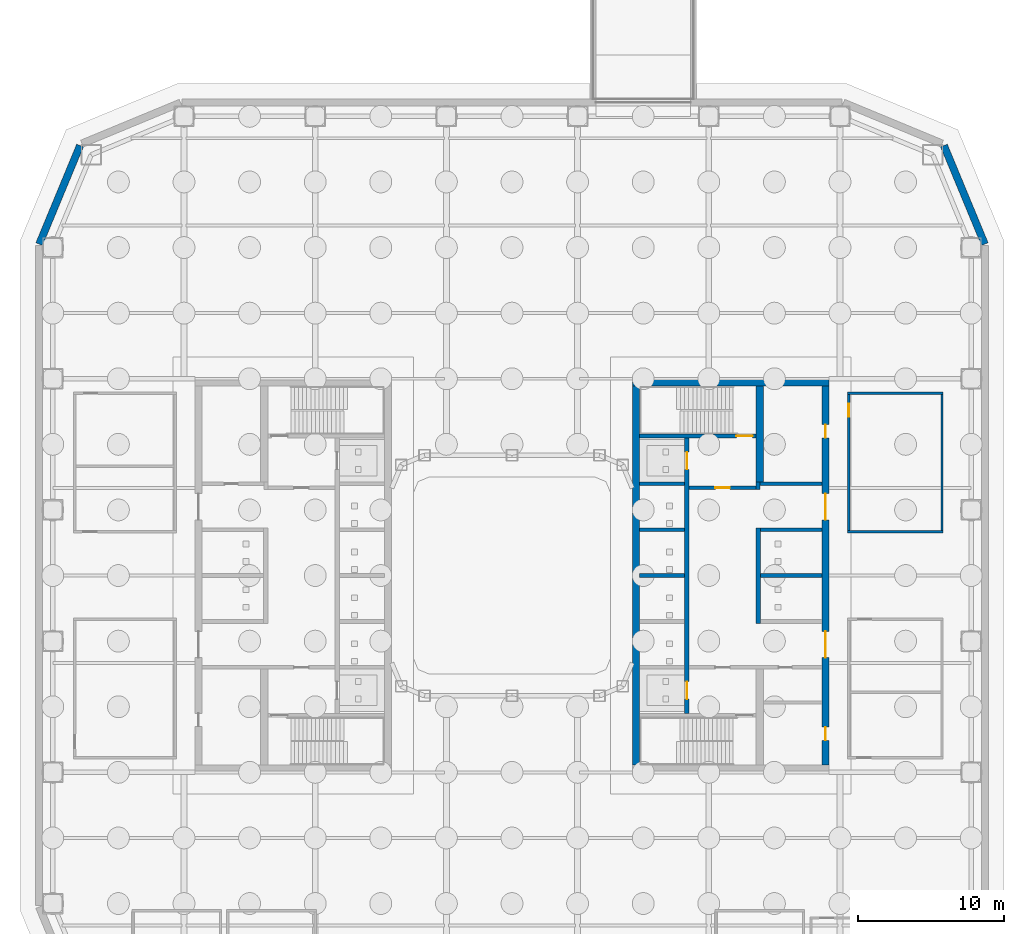
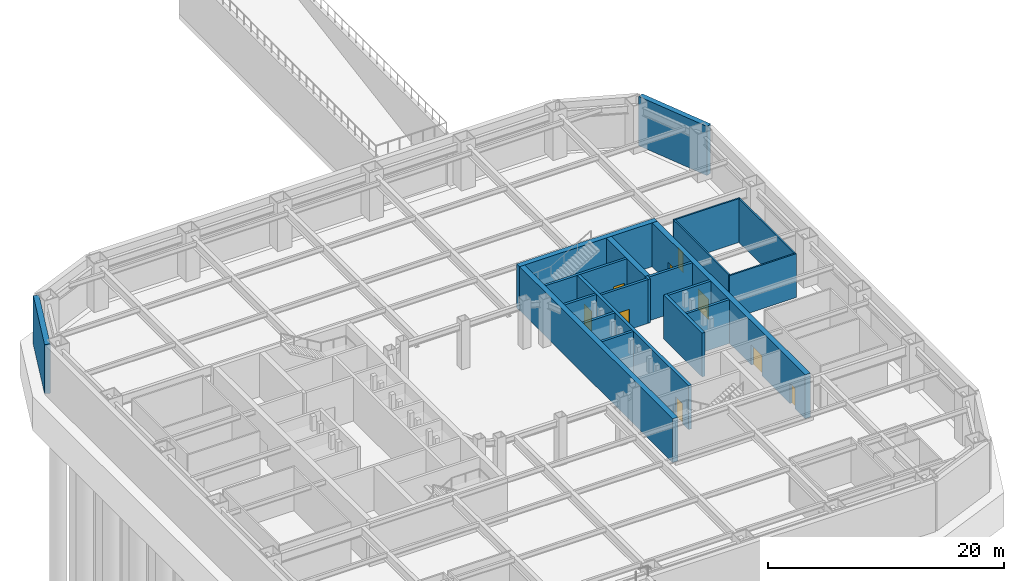
# One storey, part 6 of 10: 21 walls, 9 doors, 9 openings.
"""IFC4 building model written with IfcOpenShell, lengths in metres."""

from ifc_helpers import new_model, si_unit, direction, frame, frame_2d, origin, place, context, subcontext, project, spatial, rectangle, extrude, material, layer, layer_set, type_object, element, fill, save


model = new_model("IFC4")

# Units and contexts
model_context = context("Model", 3, precision=1e-05, world=origin(), true_north=direction((0.0, 1.0)))
body_context = subcontext(model_context, "Body", "Model", "MODEL_VIEW")
ifc_project = project(units=[si_unit("LENGTHUNIT", "METRE"), si_unit("AREAUNIT", "SQUARE_METRE"), si_unit("VOLUMEUNIT", "CUBIC_METRE"), si_unit("PLANEANGLEUNIT", "RADIAN"), si_unit("MASSUNIT", "GRAM", prefix="KILO")], contexts=[model_context])

# Site, building, storey
site_placement = place(None, origin())
site = spatial("IfcSite", under=ifc_project, at=site_placement, CompositionType="ELEMENT")
building_placement = place(site_placement, origin())
building = spatial("IfcBuilding", under=site, at=building_placement, Name="Siwar Civic Tower", CompositionType="ELEMENT")
storey_placement = place(building_placement, frame((0.0, 0.0, -5.0)))
storey = spatial("IfcBuildingStorey", under=building, at=storey_placement, Name="B1", CompositionType="ELEMENT", Elevation=-5.0)

# Walls
ifc_material_1 = material(Name="Gypsum board on steel studs", Category="steel")
ifc_layer_1 = layer(ifc_material_1, 0.14990234375)
ifc_layer_set_1 = layer_set([ifc_layer_1], Name="Gypsum board on steel studs")
wall_type_1 = type_object("IfcWallType", Name="COMPARTMENT PARTITION 150 EI 60", PredefinedType="PARTITIONING", material=ifc_layer_set_1)
for number, where, z_axis, x_axis, name in (
    (1, (23.02490234375, 3.0, 0.0), (0.0, 0.0, 1.0), (1.0, 0.0, 0.0), "B1/wall/P16"),
    (2, (23.02490234375, 12.5, 0.0), (0.0, 0.0, 1.0), (1.0, 0.0, 0.0), "B1/wall/P19"),
):
    element("IfcWall", number, at=place(storey_placement, frame(where, z_axis=z_axis, x_axis=x_axis)), inside=storey, type_object=wall_type_1, Name=name, PredefinedType="PARTITIONING", context=body_context, shape_type="SweptSolid", body=[
        extrude(rectangle(XDim=6.550048828125, YDim=0.14990234375, at=frame_2d((3.27490234375, 0.0))), origin(), (0.0, 0.0, 1.0), 4.550048828125),
    ])

# Wall, opening, door
wall_1_placement = place(storey_placement, frame((23.10009765625, 3.074951171875, 0.0), z_axis=(0.0, 0.0, 1.0), x_axis=(0.0, 1.0, 0.0)))
wall_1 = element("IfcWall", 3, at=wall_1_placement, inside=storey, type_object=wall_type_1, Name="B1/wall/P33", PredefinedType="PARTITIONING", context=body_context, shape_type="SweptSolid", body=[
    extrude(rectangle(XDim=9.35009765625, YDim=0.14990234375, at=frame_2d((4.675048828125, 0.0))), origin(), (0.0, 0.0, 1.0), 4.550048828125),
])
opening_1_placement = place(wall_1_placement, frame((7.824951171875, 0.0, 0.0)))
opening_1 = element("IfcOpeningElement", 4, at=opening_1_placement, cuts=wall_1, Name="Opening D4", PredefinedType="OPENING", context=body_context, shape_type="SweptSolid", body=[
    extrude(rectangle(XDim=0.89990234375, YDim=2.10009765625, at=frame_2d((0.449951171875, 1.050048828125))), frame((0.0, 0.0849609375, 0.0), z_axis=(0.0, -1.0, 0.0), x_axis=(1.0, 0.0, 0.0)), (0.0, 0.0, 1.0), 0.169921875),
])
ifc_material_2 = material(Name="Timber, painted", Category="wood")
door_type_1 = type_object("IfcDoorType", Name="DOOR 900 X 2100 FD60", OperationType="SINGLE_SWING_LEFT", PredefinedType="DOOR", material=ifc_material_2)
door_1_placement = place(opening_1_placement, origin())
door_1 = element("IfcDoor", 5, at=door_1_placement, inside=storey, type_object=door_type_1, Name="B1-D04", OperationType="SINGLE_SWING_RIGHT", OverallHeight=2.10009765625, OverallWidth=0.89990234375, PredefinedType="DOOR", context=body_context, shape_type="SweptSolid", body=[
    extrude(rectangle(XDim=0.89990234375, YDim=2.10009765625, at=frame_2d((0.449951171875, 1.050048828125))), frame((0.0, 0.02490234375, 0.0), z_axis=(0.0, -1.0, 0.0), x_axis=(1.0, 0.0, 0.0)), (0.0, 0.0, 1.0), 0.050048828125),
])
fill(opening_1, door_1)

# Wall
wall_2_placement = place(storey_placement, frame((29.5, 3.074951171875, 0.0), z_axis=(0.0, 0.0, 1.0), x_axis=(0.0, 1.0, 0.0)))
element("IfcWall", 6, at=wall_2_placement, inside=storey, type_object=wall_type_1, Name="B1/wall/P37", PredefinedType="PARTITIONING", context=body_context, shape_type="SweptSolid", body=[
    extrude(rectangle(XDim=9.35009765625, YDim=0.14990234375, at=frame_2d((4.675048828125, 0.0))), origin(), (0.0, 0.0, 1.0), 4.550048828125),
])

# Wall, opening, door
ifc_material_3 = material(Name="Concrete C60/75", Category="concrete")
ifc_layer_2 = layer(ifc_material_3, 0.25)
ifc_layer_set_2 = layer_set([ifc_layer_2], Name="Concrete C60/75")
wall_type_2 = type_object("IfcWallType", Name="CORE-WALL-RC250", PredefinedType="SHEAR", material=ifc_layer_set_2)
wall_3_placement = place(storey_placement, frame((12.14990234375, 6.02490234375, 0.0), z_axis=(0.0, 0.0, 1.0), x_axis=(1.0, 0.0, 0.0)))
wall_3 = element("IfcWall", 7, at=wall_3_placement, inside=storey, type_object=wall_type_2, Name="Core wall E", PredefinedType="SHEAR", context=body_context, shape_type="SweptSolid", body=[
    extrude(rectangle(XDim=4.60009765625, YDim=0.25, at=frame_2d((2.300048828125, 0.0))), origin(), (0.0, 0.0, 1.0), 4.550048828125),
])
opening_2_placement = place(wall_3_placement, frame((1.800048828125, 0.0, 0.0)))
opening_2 = element("IfcOpeningElement", 8, at=opening_2_placement, cuts=wall_3, Name="Opening B1-CE01", PredefinedType="OPENING", context=body_context, shape_type="SweptSolid", body=[
    extrude(rectangle(XDim=1.0, YDim=2.10009765625, at=frame_2d((0.5, 1.050048828125))), frame((0.0, 0.135009765625, 0.0), z_axis=(0.0, -1.0, 0.0), x_axis=(1.0, 0.0, 0.0)), (0.0, 0.0, 1.0), 0.27001953125),
])
ifc_material_4 = material(Name="Steel door leaf", Category="steel")
door_type_2 = type_object("IfcDoorType", Name="CORE-DOOR-FD30S", OperationType="SINGLE_SWING_LEFT", PredefinedType="DOOR", material=ifc_material_4)
door_2_placement = place(opening_2_placement, origin())
door_2 = element("IfcDoor", 9, at=door_2_placement, inside=storey, type_object=door_type_2, Name="Firefighting lobby door B1-CE01", OperationType="SINGLE_SWING_RIGHT", OverallHeight=2.10009765625, OverallWidth=1.0, PredefinedType="DOOR", context=body_context, shape_type="SweptSolid", body=[
    extrude(rectangle(XDim=1.0, YDim=2.10009765625, at=frame_2d((0.5, 1.050048828125))), frame((0.0, 0.02490234375, 0.0), z_axis=(0.0, -1.0, 0.0), x_axis=(1.0, 0.0, 0.0)), (0.0, 0.0, 1.0), 0.050048828125),
])
fill(opening_2, door_2)

# Walls
wall_4_placement = place(storey_placement, frame((16.875, 5.89990234375, 0.0), z_axis=(0.0, 0.0, 1.0), x_axis=(0.0, 1.0, 0.0)))
element("IfcWall", 10, at=wall_4_placement, inside=storey, type_object=wall_type_2, Name="Core wall E", PredefinedType="SHEAR", context=body_context, shape_type="SweptSolid", body=[
    extrude(rectangle(XDim=0.525146484375, YDim=0.25, at=frame_2d((0.2626953125, 0.0))), origin(), (0.0, 0.0, 1.0), 4.550048828125),
])
wall_5_placement = place(storey_placement, frame((17.0, 6.300048828125, 0.0), z_axis=(0.0, 0.0, 1.0), x_axis=(1.0, 0.0, 0.0)))
element("IfcWall", 11, at=wall_5_placement, inside=storey, type_object=wall_type_2, Name="Core wall E", PredefinedType="SHEAR", context=body_context, shape_type="SweptSolid", body=[
    extrude(rectangle(XDim=4.25, YDim=0.25, at=frame_2d((2.125, 0.0))), origin(), (0.0, 0.0, 1.0), 4.550048828125),
])
for number, where, z_axis, x_axis, name in (
    (12, (17.050048828125, 0.0, 0.0), (0.0, 0.0, 1.0), (1.0, 0.0, 0.0), "Core wall E"),
    (13, (17.050048828125, 3.14990234375, 0.0), (0.0, 0.0, 1.0), (1.0, 0.0, 0.0), "Core wall E"),
):
    element("IfcWall", number, at=place(storey_placement, frame(where, z_axis=z_axis, x_axis=x_axis)), inside=storey, type_object=wall_type_2, Name=name, PredefinedType="SHEAR", context=body_context, shape_type="SweptSolid", body=[
        extrude(rectangle(XDim=4.199951171875, YDim=0.25, at=frame_2d((2.10009765625, 0.0))), origin(), (0.0, 0.0, 1.0), 4.550048828125),
    ])
for number, where, z_axis, x_axis, name in (
    (14, (8.75, 0.0, 0.0), (0.0, 0.0, 1.0), (1.0, 0.0, 0.0), "Core wall E"),
    (15, (8.75, 3.14990234375, 0.0), (0.0, 0.0, 1.0), (1.0, 0.0, 0.0), "Core wall E"),
    (16, (8.75, 6.300048828125, 0.0), (0.0, 0.0, 1.0), (1.0, 0.0, 0.0), "Core wall E"),
):
    element("IfcWall", number, at=place(storey_placement, frame(where, z_axis=z_axis, x_axis=x_axis)), inside=storey, type_object=wall_type_2, Name=name, PredefinedType="SHEAR", context=body_context, shape_type="SweptSolid", body=[
        extrude(rectangle(XDim=3.10009765625, YDim=0.25, at=frame_2d((1.550048828125, 0.0))), origin(), (0.0, 0.0, 1.0), 4.550048828125),
    ])

# Wall, opening, door
wall_6_placement = place(storey_placement, frame((8.75, 9.574951171875, 0.0), z_axis=(0.0, 0.0, 1.0), x_axis=(1.0, 0.0, 0.0)))
wall_6 = element("IfcWall", 17, at=wall_6_placement, inside=storey, type_object=wall_type_2, Name="Core wall E", PredefinedType="SHEAR", context=body_context, shape_type="SweptSolid", body=[
    extrude(rectangle(XDim=8.0, YDim=0.25, at=frame_2d((4.0, 0.0))), origin(), (0.0, 0.0, 1.0), 4.550048828125),
])
opening_3_placement = place(wall_6_placement, frame((6.64990234375, 0.0, 0.0)))
opening_3 = element("IfcOpeningElement", 18, at=opening_3_placement, cuts=wall_6, Name="Opening B1-CE03", PredefinedType="OPENING", context=body_context, shape_type="SweptSolid", body=[
    extrude(rectangle(XDim=1.10009765625, YDim=2.10009765625, at=frame_2d((0.550048828125, 1.050048828125))), frame((0.0, 0.135009765625, 0.0), z_axis=(0.0, -1.0, 0.0), x_axis=(1.0, 0.0, 0.0)), (0.0, 0.0, 1.0), 0.27001953125),
])
ifc_material_5 = material(Name="Steel door leaf", Category="steel")
door_type_3 = type_object("IfcDoorType", Name="CORE-DOOR-FD60S", OperationType="SINGLE_SWING_LEFT", PredefinedType="DOOR", material=ifc_material_5)
door_3_placement = place(opening_3_placement, origin())
door_3 = element("IfcDoor", 19, at=door_3_placement, inside=storey, type_object=door_type_3, Name="Stair door B1-CE03", OperationType="SINGLE_SWING_LEFT", OverallHeight=2.10009765625, OverallWidth=1.10009765625, PredefinedType="DOOR", context=body_context, shape_type="SweptSolid", body=[
    extrude(rectangle(XDim=1.10009765625, YDim=2.10009765625, at=frame_2d((0.550048828125, 1.050048828125))), frame((0.0, 0.02490234375, 0.0), z_axis=(0.0, -1.0, 0.0), x_axis=(1.0, 0.0, 0.0)), (0.0, 0.0, 1.0), 0.050048828125),
])
fill(opening_3, door_3)

# Wall, openings, doors
ifc_material_6 = material(Name="Concrete C60/75", Category="concrete")
ifc_layer_3 = layer(ifc_material_6, 0.300048828125)
ifc_layer_set_3 = layer_set([ifc_layer_3], Name="Concrete C60/75")
wall_type_3 = type_object("IfcWallType", Name="CORE-WALL-RC300", PredefinedType="SHEAR", material=ifc_layer_set_3)
wall_7_placement = place(storey_placement, frame((12.0, -9.449951171875, 0.0), z_axis=(0.0, 0.0, 1.0), x_axis=(0.0, 1.0, 0.0)))
wall_7 = element("IfcWall", 20, at=wall_7_placement, inside=storey, type_object=wall_type_3, Name="Core wall E", PredefinedType="SHEAR", context=body_context, shape_type="SweptSolid", body=[
    extrude(rectangle(XDim=18.89990234375, YDim=0.300048828125, at=frame_2d((9.449951171875, 0.0))), origin(), (0.0, 0.0, 1.0), 4.550048828125),
])
opening_4_placement = place(wall_7_placement, frame((16.72509765625, 0.0, 0.0)))
opening_4 = element("IfcOpeningElement", 21, at=opening_4_placement, cuts=wall_7, Name="Opening B1-CE07", PredefinedType="OPENING", context=body_context, shape_type="SweptSolid", body=[
    extrude(rectangle(XDim=1.199951171875, YDim=2.10009765625, at=frame_2d((0.60009765625, 1.050048828125))), frame((0.0, 0.16015625, 0.0), z_axis=(0.0, -1.0, 0.0), x_axis=(1.0, 0.0, 0.0)), (0.0, 0.0, 1.0), 0.320068359375),
])
opening_5_placement = place(wall_7_placement, frame((0.97509765625, 0.0, 0.0)))
opening_5 = element("IfcOpeningElement", 22, at=opening_5_placement, cuts=wall_7, Name="Opening B1-CE08", PredefinedType="OPENING", context=body_context, shape_type="SweptSolid", body=[
    extrude(rectangle(XDim=1.199951171875, YDim=2.10009765625, at=frame_2d((0.60009765625, 1.050048828125))), frame((0.0, 0.16015625, 0.0), z_axis=(0.0, -1.0, 0.0), x_axis=(1.0, 0.0, 0.0)), (0.0, 0.0, 1.0), 0.320068359375),
])
ifc_material_7 = material(Name="Steel door leaf", Category="steel")
door_type_4 = type_object("IfcDoorType", Name="CORE-DOOR-LDW", OperationType="DOUBLE_DOOR_SLIDING", PredefinedType="DOOR", material=ifc_material_7)
door_4_placement = place(opening_4_placement, origin())
door_4 = element("IfcDoor", 23, at=door_4_placement, inside=storey, type_object=door_type_4, Name="Landing door FF2 B1-CE07", OperationType="DOUBLE_DOOR_SLIDING", OverallHeight=2.10009765625, OverallWidth=1.199951171875, PredefinedType="DOOR", context=body_context, shape_type="SweptSolid", body=[
    extrude(rectangle(XDim=1.199951171875, YDim=2.10009765625, at=frame_2d((0.60009765625, 1.050048828125))), frame((0.0, 0.02490234375, 0.0), z_axis=(0.0, -1.0, 0.0), x_axis=(1.0, 0.0, 0.0)), (0.0, 0.0, 1.0), 0.050048828125),
])
fill(opening_4, door_4)
door_5_placement = place(opening_5_placement, origin())
door_5 = element("IfcDoor", 24, at=door_5_placement, inside=storey, type_object=door_type_4, Name="Landing door SV2 B1-CE08", OperationType="DOUBLE_DOOR_SLIDING", OverallHeight=2.10009765625, OverallWidth=1.199951171875, PredefinedType="DOOR", context=body_context, shape_type="SweptSolid", body=[
    extrude(rectangle(XDim=1.199951171875, YDim=2.10009765625, at=frame_2d((0.60009765625, 1.050048828125))), frame((0.0, 0.02490234375, 0.0), z_axis=(0.0, -1.0, 0.0), x_axis=(1.0, 0.0, 0.0)), (0.0, 0.0, 1.0), 0.050048828125),
])
fill(opening_5, door_5)

# Wall
wall_8_placement = place(storey_placement, frame((16.89990234375, -3.27490234375, 0.0), z_axis=(0.0, 0.0, 1.0), x_axis=(0.0, 1.0, 0.0)))
element("IfcWall", 25, at=wall_8_placement, inside=storey, type_object=wall_type_3, Name="Core wall E", PredefinedType="SHEAR", context=body_context, shape_type="SweptSolid", body=[
    extrude(rectangle(XDim=6.5498046875, YDim=0.300048828125, at=frame_2d((3.27490234375, 0.0))), origin(), (0.0, 0.0, 1.0), 4.550048828125),
])

# Wall, openings, doors
ifc_material_8 = material(Name="Concrete C60/75", Category="concrete")
ifc_layer_4 = layer(ifc_material_8, 0.5)
ifc_layer_set_4 = layer_set([ifc_layer_4], Name="Concrete C60/75")
wall_type_4 = type_object("IfcWallType", Name="CORE-WALL-RC500", PredefinedType="SHEAR", material=ifc_layer_set_4)
wall_9_placement = place(storey_placement, frame((21.5, -13.0, 0.0), z_axis=(0.0, 0.0, 1.0), x_axis=(0.0, 1.0, 0.0)))
wall_9 = element("IfcWall", 26, at=wall_9_placement, inside=storey, type_object=wall_type_4, Name="Core wall E", PredefinedType="SHEAR", context=body_context, shape_type="SweptSolid", body=[
    extrude(rectangle(XDim=26.0, YDim=0.5, at=frame_2d((13.0, 0.0))), origin(), (0.0, 0.0, 1.0), 4.550048828125),
])
opening_6_placement = place(wall_9_placement, frame((16.824951171875, 0.0, 0.0)))
opening_6 = element("IfcOpeningElement", 27, at=opening_6_placement, cuts=wall_9, Name="Opening B1-CE05", PredefinedType="OPENING", context=body_context, shape_type="SweptSolid", body=[
    extrude(rectangle(XDim=1.800048828125, YDim=2.10009765625, at=frame_2d((0.89990234375, 1.050048828125))), frame((0.0, 0.260009765625, 0.0), z_axis=(0.0, -1.0, 0.0), x_axis=(1.0, 0.0, 0.0)), (0.0, 0.0, 1.0), 0.52001953125),
])
opening_7_placement = place(wall_9_placement, frame((7.375, 0.0, 0.0)))
opening_7 = element("IfcOpeningElement", 28, at=opening_7_placement, cuts=wall_9, Name="Opening B1-CE06", PredefinedType="OPENING", context=body_context, shape_type="SweptSolid", body=[
    extrude(rectangle(XDim=1.800048828125, YDim=2.10009765625, at=frame_2d((0.89990234375, 1.050048828125))), frame((0.0, 0.260009765625, 0.0), z_axis=(0.0, -1.0, 0.0), x_axis=(1.0, 0.0, 0.0)), (0.0, 0.0, 1.0), 0.52001953125),
])
opening_8_placement = place(wall_9_placement, frame((22.449951171875, 0.0, 0.0)))
opening_8 = element("IfcOpeningElement", 29, at=opening_8_placement, cuts=wall_9, Name="Opening B1-CE09", PredefinedType="OPENING", context=body_context, shape_type="SweptSolid", body=[
    extrude(rectangle(XDim=0.89990234375, YDim=2.10009765625, at=frame_2d((0.449951171875, 1.050048828125))), frame((0.0, 0.260009765625, 0.0), z_axis=(0.0, -1.0, 0.0), x_axis=(1.0, 0.0, 0.0)), (0.0, 0.0, 1.0), 0.52001953125),
])
opening_9_placement = place(wall_9_placement, frame((1.699951171875, 0.0, 0.0)))
opening_9 = element("IfcOpeningElement", 30, at=opening_9_placement, cuts=wall_9, Name="Opening B1-CE11", PredefinedType="OPENING", context=body_context, shape_type="SweptSolid", body=[
    extrude(rectangle(XDim=0.89990234375, YDim=2.10009765625, at=frame_2d((0.449951171875, 1.050048828125))), frame((0.0, 0.260009765625, 0.0), z_axis=(0.0, -1.0, 0.0), x_axis=(1.0, 0.0, 0.0)), (0.0, 0.0, 1.0), 0.52001953125),
])
ifc_material_9 = material(Name="Steel door leaf", Category="steel")
door_type_5 = type_object("IfcDoorType", Name="CORE-DOOR-PORT", OperationType="DOUBLE_DOOR_DOUBLE_SWING", PredefinedType="DOOR", material=ifc_material_9)
door_6_placement = place(opening_6_placement, origin())
door_6 = element("IfcDoor", 31, at=door_6_placement, inside=storey, type_object=door_type_5, Name="Core entrance door B1-CE05", OperationType="DOUBLE_DOOR_DOUBLE_SWING", OverallHeight=2.10009765625, OverallWidth=1.800048828125, PredefinedType="DOOR", context=body_context, shape_type="SweptSolid", body=[
    extrude(rectangle(XDim=1.800048828125, YDim=2.10009765625, at=frame_2d((0.89990234375, 1.050048828125))), frame((0.0, 0.02490234375, 0.0), z_axis=(0.0, -1.0, 0.0), x_axis=(1.0, 0.0, 0.0)), (0.0, 0.0, 1.0), 0.050048828125),
])
fill(opening_6, door_6)
door_7_placement = place(opening_7_placement, origin())
door_7 = element("IfcDoor", 32, at=door_7_placement, inside=storey, type_object=door_type_5, Name="Core entrance door B1-CE06", OperationType="DOUBLE_DOOR_DOUBLE_SWING", OverallHeight=2.10009765625, OverallWidth=1.800048828125, PredefinedType="DOOR", context=body_context, shape_type="SweptSolid", body=[
    extrude(rectangle(XDim=1.800048828125, YDim=2.10009765625, at=frame_2d((0.89990234375, 1.050048828125))), frame((0.0, 0.02490234375, 0.0), z_axis=(0.0, -1.0, 0.0), x_axis=(1.0, 0.0, 0.0)), (0.0, 0.0, 1.0), 0.050048828125),
])
fill(opening_7, door_7)
ifc_material_10 = material(Name="Steel door leaf", Category="steel")
door_type_6 = type_object("IfcDoorType", Name="CORE-DOOR-ROOM", OperationType="SINGLE_SWING_LEFT", PredefinedType="DOOR", material=ifc_material_10)
door_8_placement = place(opening_8_placement, origin())
door_8 = element("IfcDoor", 33, at=door_8_placement, inside=storey, type_object=door_type_6, Name="Core room door B1-CE09", OperationType="SINGLE_SWING_LEFT", OverallHeight=2.10009765625, OverallWidth=0.89990234375, PredefinedType="DOOR", context=body_context, shape_type="SweptSolid", body=[
    extrude(rectangle(XDim=0.89990234375, YDim=2.10009765625, at=frame_2d((0.449951171875, 1.050048828125))), frame((0.0, 0.02490234375, 0.0), z_axis=(0.0, -1.0, 0.0), x_axis=(1.0, 0.0, 0.0)), (0.0, 0.0, 1.0), 0.050048828125),
])
fill(opening_8, door_8)
door_9_placement = place(opening_9_placement, origin())
door_9 = element("IfcDoor", 34, at=door_9_placement, inside=storey, type_object=door_type_6, Name="Core room door B1-CE11", OperationType="SINGLE_SWING_LEFT", OverallHeight=2.10009765625, OverallWidth=0.89990234375, PredefinedType="DOOR", context=body_context, shape_type="SweptSolid", body=[
    extrude(rectangle(XDim=0.89990234375, YDim=2.10009765625, at=frame_2d((0.449951171875, 1.050048828125))), frame((0.0, 0.02490234375, 0.0), z_axis=(0.0, -1.0, 0.0), x_axis=(1.0, 0.0, 0.0)), (0.0, 0.0, 1.0), 0.050048828125),
])
fill(opening_9, door_9)

# Walls
wall_10_placement = place(storey_placement, frame((17.0, 6.425048828125, 0.0), z_axis=(0.0, 0.0, 1.0), x_axis=(0.0, 1.0, 0.0)))
element("IfcWall", 35, at=wall_10_placement, inside=storey, type_object=wall_type_4, Name="Core wall E", PredefinedType="SHEAR", context=body_context, shape_type="SweptSolid", body=[
    extrude(rectangle(XDim=6.574951171875, YDim=0.5, at=frame_2d((3.28759765625, 0.0))), origin(), (0.0, 0.0, 1.0), 4.550048828125),
])
wall_11_placement = place(storey_placement, frame((8.25, 13.25, 0.0), z_axis=(0.0, 0.0, 1.0), x_axis=(1.0, 0.0, 0.0)))
element("IfcWall", 36, at=wall_11_placement, inside=storey, type_object=wall_type_4, Name="Core wall E", PredefinedType="SHEAR", context=body_context, shape_type="SweptSolid", body=[
    extrude(rectangle(XDim=13.5, YDim=0.5, at=frame_2d((6.75, 0.0))), origin(), (0.0, 0.0, 1.0), 4.550048828125),
])
ifc_material_11 = material(Name="Concrete C60/75", Category="concrete")
ifc_layer_5 = layer(ifc_material_11, 0.5)
ifc_layer_set_5 = layer_set([ifc_layer_5], Name="Concrete C60/75")
wall_type_5 = type_object("IfcWallType", Name="CORE-WALL-RC500-EXT", PredefinedType="SHEAR", material=ifc_layer_set_5)
wall_12_placement = place(storey_placement, frame((8.5, -13.0, 0.0), z_axis=(0.0, 0.0, 1.0), x_axis=(0.0, 1.0, 0.0)))
element("IfcWall", 37, at=wall_12_placement, inside=storey, type_object=wall_type_5, Name="Core wall E", PredefinedType="SHEAR", context=body_context, shape_type="SweptSolid", body=[
    extrude(rectangle(XDim=26.0, YDim=0.5, at=frame_2d((13.0, 0.0))), origin(), (0.0, 0.0, 1.0), 4.550048828125),
])
ifc_material_12 = material(Name="Concrete C40/50", Category="concrete")
ifc_layer_6 = layer(ifc_material_12, 0.5)
ifc_layer_set_6 = layer_set([ifc_layer_6], Name="Concrete C40/50")
wall_type_6 = type_object("IfcWallType", Name="GND-RETWALL", PredefinedType="SOLIDWALL", material=ifc_layer_set_6)
for number, where, z_axis, x_axis, name in (
    (38, (32.430908203125, 22.73486328125, -0.25), (0.0, 0.0, 1.0), (-0.382683781057, 0.923879388078, 0.0), "B1/wall/ret-05"),
    (39, (-29.630615234375, 29.495361328125, -0.25), (0.0, 0.0, 1.0), (-0.382683781057, -0.923879388078, 0.0), "B1/wall/ret-09"),
):
    element("IfcWall", number, at=place(storey_placement, frame(where, z_axis=z_axis, x_axis=x_axis)), inside=storey, type_object=wall_type_6, Name=name, PredefinedType="SOLIDWALL", context=body_context, shape_type="SweptSolid", body=[
        extrude(rectangle(XDim=7.317626953125, YDim=0.5, at=frame_2d((3.65869140625, 0.0))), origin(), (0.0, 0.0, 1.0), 5.10009765625),
    ])

save(model, "model.ifc")
